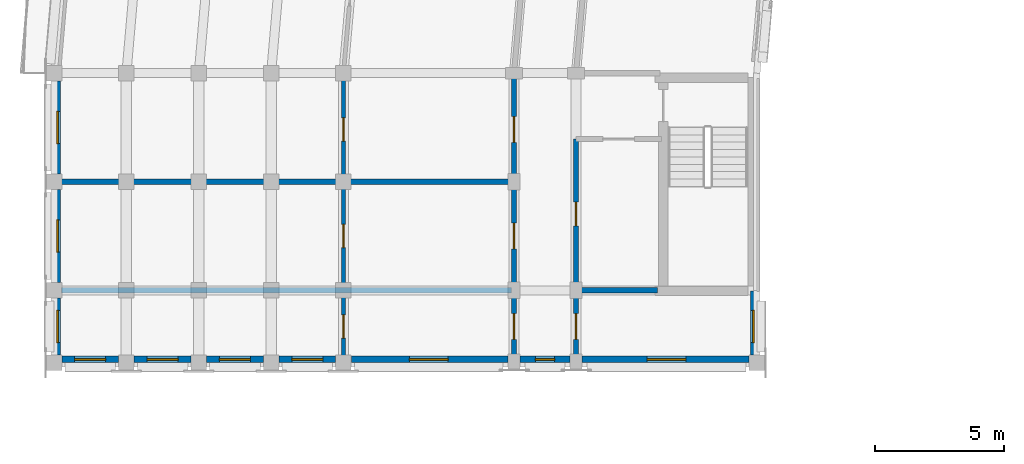
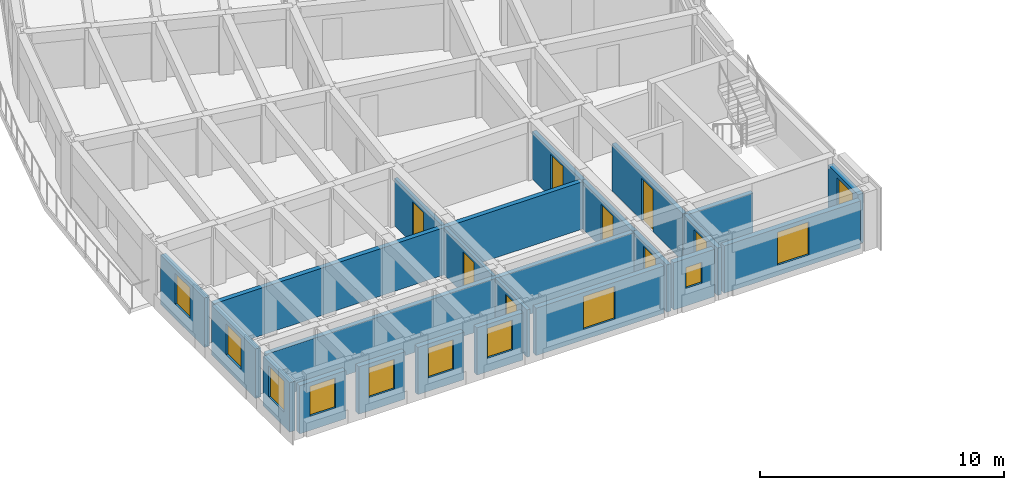
# One storey, part 11 of 36: 22 walls, 11 windows, 8 doors, 19 openings.
"""IFC4 building model written with IfcOpenShell, lengths in metres."""

from ifc_helpers import new_model, si_unit, direction, frame, frame_2d, origin, place, context, subcontext, project, spatial, rectangle, extrude, material, layer, layer_set, type_object, element, fill, save


model = new_model("IFC4")

# Units and contexts
model_context = context("Model", 3, precision=1e-05, world=origin(), true_north=direction((0.0, 1.0)))
body_context = subcontext(model_context, "Body", "Model", "MODEL_VIEW")
ifc_project = project(units=[si_unit("LENGTHUNIT", "METRE"), si_unit("AREAUNIT", "SQUARE_METRE"), si_unit("VOLUMEUNIT", "CUBIC_METRE"), si_unit("PLANEANGLEUNIT", "RADIAN"), si_unit("MASSUNIT", "GRAM", prefix="KILO")], contexts=[model_context])

# Site, building, storey
site_placement = place(None, origin())
site = spatial("IfcSite", under=ifc_project, at=site_placement, CompositionType="ELEMENT")
building_placement = place(site_placement, origin())
building = spatial("IfcBuilding", under=site, at=building_placement, Name="Kiranvali Square Residences", CompositionType="ELEMENT")
storey_placement = place(building_placement, frame((0.0, 0.0, 37.050048828125)))
storey = spatial("IfcBuildingStorey", under=building, at=storey_placement, Name="L11", CompositionType="ELEMENT", Elevation=37.050048828125)

# Wall, opening, door
ifc_material_1 = material(Name="Autoclaved aerated concrete blockwork masonry", Category="masonry")
ifc_layer_1 = layer(ifc_material_1, 0.199951171875)
ifc_layer_set_1 = layer_set([ifc_layer_1], Name="Autoclaved aerated concrete blockwork masonry")
wall_type_1 = type_object("IfcWallType", Name="WL-COR-200", PredefinedType="STANDARD", material=ifc_layer_set_1)
wall_1_placement = place(storey_placement, frame((22.39990234375, 85.25, 0.0), z_axis=(0.0, 0.0, 1.0), x_axis=(0.0, -1.0, 0.0)))
wall_1 = element("IfcWall", 1, at=wall_1_placement, inside=storey, type_object=wall_type_1, Name="L11 architectural wall WL-L11-A-S3-COR", PredefinedType="STANDARD", context=body_context, shape_type="SweptSolid", body=[
    extrude(rectangle(XDim=5.800048828125, YDim=0.199951171875, at=frame_2d((2.89990234375, 0.0))), origin(), (0.0, 0.0, 1.0), 2.3720703125),
])
opening_1_placement = place(wall_1_placement, frame((2.43994140625, 0.0, 0.0)))
opening_1 = element("IfcOpeningElement", 2, at=opening_1_placement, cuts=wall_1, Name="Opening FD-SVC-120", PredefinedType="OPENING", context=body_context, shape_type="SweptSolid", body=[
    extrude(rectangle(XDim=0.919921875, YDim=2.10009765625, at=frame_2d((0.4599609375, 1.050048828125))), frame((0.0, 0.10986328125, 0.0), z_axis=(0.0, -1.0, 0.0), x_axis=(1.0, 0.0, 0.0)), (0.0, 0.0, 1.0), 0.219970703125),
])
ifc_material_2 = material(Name="Fire-rated acoustic hardwood and mineral-core door assembly", Category="wood")
door_type_1 = type_object("IfcDoorType", Name="DR-SVC-900", OperationType="NOTDEFINED", PredefinedType="DOOR", material=ifc_material_2)
door_1_placement = place(opening_1_placement, frame((0.919921875, 0.0, 0.0), z_axis=(0.0, 0.0, 1.0), x_axis=(-1.0, 0.0, 0.0)))
door_1 = element("IfcDoor", 3, at=door_1_placement, inside=storey, type_object=door_type_1, Name="L11 door DR-L11-0688 (DR-SVC-900)", OperationType="SINGLE_SWING_RIGHT", OverallHeight=2.10009765625, OverallWidth=0.919921875, PredefinedType="DOOR", context=body_context, shape_type="SweptSolid", body=[
    extrude(rectangle(XDim=0.919921875, YDim=2.10009765625, at=frame_2d((0.4599609375, 1.050048828125))), frame((0.0, 0.02490234375, 0.0), z_axis=(0.0, -1.0, 0.0), x_axis=(1.0, 0.0, 0.0)), (0.0, 0.0, 1.0), 0.050048828125),
])
fill(opening_1, door_1)

wall_2_placement = place(storey_placement, frame((20.0, 87.64990234375, 0.0), z_axis=(0.0, 0.0, 1.0), x_axis=(0.0, -1.0, 0.0)))
wall_2 = element("IfcWall", 4, at=wall_2_placement, inside=storey, type_object=wall_type_1, Name="L11 architectural wall WL-L11-A-A2CF-C0", PredefinedType="STANDARD", context=body_context, shape_type="SweptSolid", body=[
    extrude(rectangle(XDim=4.0498046875, YDim=0.199951171875, at=frame_2d((2.02490234375, 0.0))), origin(), (0.0, 0.0, 1.0), 2.3720703125),
])
opening_2_placement = place(wall_2_placement, frame((1.52490234375, 0.0, 0.0)))
opening_2 = element("IfcOpeningElement", 5, at=opening_2_placement, cuts=wall_2, Name="Opening FD-APT-60", PredefinedType="OPENING", context=body_context, shape_type="SweptSolid", body=[
    extrude(rectangle(XDim=1.0, YDim=2.14990234375, at=frame_2d((0.5, 1.074951171875))), frame((0.0, 0.10986328125, 0.0), z_axis=(0.0, -1.0, 0.0), x_axis=(1.0, 0.0, 0.0)), (0.0, 0.0, 1.0), 0.219970703125),
])
door_type_2 = type_object("IfcDoorType", Name="DR-APT-1000", OperationType="NOTDEFINED", PredefinedType="DOOR", material=ifc_material_2)
door_2_placement = place(opening_2_placement, origin())
door_2 = element("IfcDoor", 6, at=door_2_placement, inside=storey, type_object=door_type_2, Name="L11 door DR-L11-0733 (DR-APT-1000)", OperationType="SINGLE_SWING_LEFT", OverallHeight=2.14990234375, OverallWidth=1.0, PredefinedType="DOOR", context=body_context, shape_type="SweptSolid", body=[
    extrude(rectangle(XDim=1.0, YDim=2.14990234375, at=frame_2d((0.5, 1.074951171875))), frame((0.0, 0.02490234375, 0.0), z_axis=(0.0, -1.0, 0.0), x_axis=(1.0, 0.0, 0.0)), (0.0, 0.0, 1.0), 0.050048828125),
])
fill(opening_2, door_2)

wall_3_placement = place(storey_placement, frame((20.0, 83.60009765625, 0.0), z_axis=(0.0, 0.0, 1.0), x_axis=(0.0, -1.0, 0.0)))
wall_3 = element("IfcWall", 7, at=wall_3_placement, inside=storey, type_object=wall_type_1, Name="L11 architectural wall WL-L11-A-A2CF-C1", PredefinedType="STANDARD", context=body_context, shape_type="SweptSolid", body=[
    extrude(rectangle(XDim=4.2001953125, YDim=0.199951171875, at=frame_2d((2.10009765625, 0.0))), origin(), (0.0, 0.0, 1.0), 2.3720703125),
])
opening_3_placement = place(wall_3_placement, frame((1.60009765625, 0.0, 0.0)))
opening_3 = element("IfcOpeningElement", 8, at=opening_3_placement, cuts=wall_3, Name="Opening FD-APT-60", PredefinedType="OPENING", context=body_context, shape_type="SweptSolid", body=[
    extrude(rectangle(XDim=1.0, YDim=2.14990234375, at=frame_2d((0.5, 1.074951171875))), frame((0.0, 0.10986328125, 0.0), z_axis=(0.0, -1.0, 0.0), x_axis=(1.0, 0.0, 0.0)), (0.0, 0.0, 1.0), 0.219970703125),
])
door_3_placement = place(opening_3_placement, origin())
door_3 = element("IfcDoor", 9, at=door_3_placement, inside=storey, type_object=door_type_2, Name="L11 door DR-L11-0735 (DR-APT-1000)", OperationType="SINGLE_SWING_LEFT", OverallHeight=2.14990234375, OverallWidth=1.0, PredefinedType="DOOR", context=body_context, shape_type="SweptSolid", body=[
    extrude(rectangle(XDim=1.0, YDim=2.14990234375, at=frame_2d((0.5, 1.074951171875))), frame((0.0, 0.02490234375, 0.0), z_axis=(0.0, -1.0, 0.0), x_axis=(1.0, 0.0, 0.0)), (0.0, 0.0, 1.0), 0.050048828125),
])
fill(opening_3, door_3)

wall_4_placement = place(storey_placement, frame((22.39990234375, 79.39990234375, 0.0), z_axis=(0.0, 0.0, 1.0), x_axis=(0.0, -1.0, 0.0)))
wall_4 = element("IfcWall", 10, at=wall_4_placement, inside=storey, type_object=wall_type_1, Name="L11 architectural wall WL-L11-A-A2CI-0", PredefinedType="STANDARD", context=body_context, shape_type="SweptSolid", body=[
    extrude(rectangle(XDim=2.7998046875, YDim=0.199951171875, at=frame_2d((1.39990234375, 0.0))), origin(), (0.0, 0.0, 1.0), 2.3720703125),
])
opening_4_placement = place(wall_4_placement, frame((0.89990234375, 0.0, 0.0)))
opening_4 = element("IfcOpeningElement", 11, at=opening_4_placement, cuts=wall_4, Name="Opening FD-APT-60", PredefinedType="OPENING", context=body_context, shape_type="SweptSolid", body=[
    extrude(rectangle(XDim=1.0, YDim=2.14990234375, at=frame_2d((0.5, 1.074951171875))), frame((0.0, 0.10986328125, 0.0), z_axis=(0.0, -1.0, 0.0), x_axis=(1.0, 0.0, 0.0)), (0.0, 0.0, 1.0), 0.219970703125),
])
door_4_placement = place(opening_4_placement, origin())
door_4 = element("IfcDoor", 12, at=door_4_placement, inside=storey, type_object=door_type_2, Name="L11 door DR-L11-0737 (DR-APT-1000)", OperationType="SINGLE_SWING_LEFT", OverallHeight=2.14990234375, OverallWidth=1.0, PredefinedType="DOOR", context=body_context, shape_type="SweptSolid", body=[
    extrude(rectangle(XDim=1.0, YDim=2.14990234375, at=frame_2d((0.5, 1.074951171875))), frame((0.0, 0.02490234375, 0.0), z_axis=(0.0, -1.0, 0.0), x_axis=(1.0, 0.0, 0.0)), (0.0, 0.0, 1.0), 0.050048828125),
])
fill(opening_4, door_4)

wall_5_placement = place(storey_placement, frame((20.0, 79.39990234375, 0.0), z_axis=(0.0, 0.0, 1.0), x_axis=(0.0, -1.0, 0.0)))
wall_5 = element("IfcWall", 13, at=wall_5_placement, inside=storey, type_object=wall_type_1, Name="L11 architectural wall WL-L11-A-A2CO-0", PredefinedType="STANDARD", context=body_context, shape_type="SweptSolid", body=[
    extrude(rectangle(XDim=2.7998046875, YDim=0.199951171875, at=frame_2d((1.39990234375, 0.0))), origin(), (0.0, 0.0, 1.0), 2.3720703125),
])
opening_5_placement = place(wall_5_placement, frame((0.89990234375, 0.0, 0.0)))
opening_5 = element("IfcOpeningElement", 14, at=opening_5_placement, cuts=wall_5, Name="Opening FD-APT-60", PredefinedType="OPENING", context=body_context, shape_type="SweptSolid", body=[
    extrude(rectangle(XDim=1.0, YDim=2.14990234375, at=frame_2d((0.5, 1.074951171875))), frame((0.0, 0.10986328125, 0.0), z_axis=(0.0, -1.0, 0.0), x_axis=(1.0, 0.0, 0.0)), (0.0, 0.0, 1.0), 0.219970703125),
])
door_5_placement = place(opening_5_placement, origin())
door_5 = element("IfcDoor", 15, at=door_5_placement, inside=storey, type_object=door_type_2, Name="L11 door DR-L11-0739 (DR-APT-1000)", OperationType="SINGLE_SWING_LEFT", OverallHeight=2.14990234375, OverallWidth=1.0, PredefinedType="DOOR", context=body_context, shape_type="SweptSolid", body=[
    extrude(rectangle(XDim=1.0, YDim=2.14990234375, at=frame_2d((0.5, 1.074951171875))), frame((0.0, 0.02490234375, 0.0), z_axis=(0.0, -1.0, 0.0), x_axis=(1.0, 0.0, 0.0)), (0.0, 0.0, 1.0), 0.050048828125),
])
fill(opening_5, door_5)

# Walls
ifc_layer_2 = layer(ifc_material_1, 0.219970703125)
ifc_layer_set_2 = layer_set([ifc_layer_2], Name="Autoclaved aerated concrete blockwork masonry")
wall_type_2 = type_object("IfcWallType", Name="WL-DEM-220", PredefinedType="STANDARD", material=ifc_layer_set_2)
wall_6_placement = place(storey_placement, frame((19.949951171875, 83.60009765625, 0.0), z_axis=(0.0, 0.0, 1.0), x_axis=(-1.0, 0.0, 0.0)))
element("IfcWall", 16, at=wall_6_placement, inside=storey, type_object=wall_type_2, Name="L11 architectural wall WL-L11-A-A2CF-MID", PredefinedType="STANDARD", context=body_context, shape_type="SweptSolid", body=[
    extrude(rectangle(XDim=17.530029296875, YDim=0.219970703125, at=frame_2d((8.76513671875, 0.0))), origin(), (0.0, 0.0, 1.0), 2.3720703125),
])
wall_7_placement = place(storey_placement, frame((25.550048828125, 79.39990234375, 0.0), z_axis=(0.0, 0.0, 1.0), x_axis=(-1.0, 0.0, 0.0)))
element("IfcWall", 17, at=wall_7_placement, inside=storey, type_object=wall_type_2, Name="L11 architectural wall WL-L11-A-A2TI-0", PredefinedType="STANDARD", context=body_context, shape_type="SweptSolid", body=[
    extrude(rectangle(XDim=3.10009765625, YDim=0.219970703125, at=frame_2d((1.550048828125, 0.0))), origin(), (0.0, 0.0, 1.0), 2.3720703125),
])
wall_8_placement = place(storey_placement, frame((19.89990234375, 79.39990234375, 0.0), z_axis=(0.0, 0.0, 1.0), x_axis=(-1.0, 0.0, 0.0)))
element("IfcWall", 18, at=wall_8_placement, inside=storey, type_object=wall_type_2, Name="L11 architectural wall WL-L11-A-A2TO-0", PredefinedType="STANDARD", context=body_context, shape_type="SweptSolid", body=[
    extrude(rectangle(XDim=17.419921875, YDim=0.219970703125, at=frame_2d((8.7099609375, 0.0))), origin(), (0.0, 0.0, 1.0), 2.3720703125),
])

# Wall, opening, window
ifc_material_3 = material(Name="Breathable lime-rendered clay brick masonry", Category="masonry")
ifc_layer_3 = layer(ifc_material_3, 0.25)
ifc_layer_set_3 = layer_set([ifc_layer_3], Name="Breathable lime-rendered clay brick masonry")
wall_type_3 = type_object("IfcWallType", Name="WL-EXT-250", PredefinedType="STANDARD", material=ifc_layer_set_3)
wall_9_placement = place(storey_placement, frame((2.324951171875, 87.49658203125, 0.0), z_axis=(0.0, 0.0, 1.0), x_axis=(0.0, -1.0, 0.0)))
wall_9 = element("IfcWall", 19, at=wall_9_placement, inside=storey, type_object=wall_type_3, Name="L11 exterior wall A-L11-A2O-0", PredefinedType="STANDARD", context=body_context, shape_type="SweptSolid", body=[
    extrude(rectangle(XDim=3.593017578125, YDim=0.25, at=frame_2d((1.79638671875, 0.0))), origin(), (0.0, 0.0, 1.0), 2.47998046875),
])
opening_6_placement = place(wall_9_placement, frame((1.17138671875, 0.0, 0.72998046875)))
opening_6 = element("IfcOpeningElement", 20, at=opening_6_placement, cuts=wall_9, Name="Opening W-19", PredefinedType="OPENING", context=body_context, shape_type="SweptSolid", body=[
    extrude(rectangle(XDim=1.25, YDim=1.550048828125, at=frame_2d((0.625, 0.77490234375))), frame((0.0, 0.135009765625, 0.0), z_axis=(0.0, -1.0, 0.0), x_axis=(1.0, 0.0, 0.0)), (0.0, 0.0, 1.0), 0.27001953125),
])
ifc_material_4 = material(Name="Solar-control low-e double glazing", Category="glass")
window_type_1 = type_object("IfcWindowType", Name="WIN-GDN-1250x1550", PartitioningType="SINGLE_PANEL", PredefinedType="WINDOW", material=ifc_material_4)
window_1_placement = place(opening_6_placement, origin())
window_1 = element("IfcWindow", 21, at=window_1_placement, inside=storey, type_object=window_type_1, Name="L11 recessed window A-L11-A2O-0", OverallHeight=1.550048828125, OverallWidth=1.25, PartitioningType="SINGLE_PANEL", PredefinedType="WINDOW", context=body_context, shape_type="SweptSolid", body=[
    extrude(rectangle(XDim=1.25, YDim=1.550048828125, at=frame_2d((0.625, 0.77490234375))), frame((0.0, 0.030029296875, 0.0), z_axis=(0.0, -1.0, 0.0), x_axis=(1.0, 0.0, 0.0)), (0.0, 0.0, 1.0), 0.06005859375),
])
fill(opening_6, window_1)

wall_10_placement = place(storey_placement, frame((2.324951171875, 83.29638671875, 0.0), z_axis=(0.0, 0.0, 1.0), x_axis=(0.0, -1.0, 0.0)))
wall_10 = element("IfcWall", 22, at=wall_10_placement, inside=storey, type_object=wall_type_3, Name="L11 exterior wall A-L11-A2O-1", PredefinedType="STANDARD", context=body_context, shape_type="SweptSolid", body=[
    extrude(rectangle(XDim=3.5927734375, YDim=0.25, at=frame_2d((1.79638671875, 0.0))), origin(), (0.0, 0.0, 1.0), 2.47998046875),
])
opening_7_placement = place(wall_10_placement, frame((1.17138671875, 0.0, 0.72998046875)))
opening_7 = element("IfcOpeningElement", 23, at=opening_7_placement, cuts=wall_10, Name="Opening W-19", PredefinedType="OPENING", context=body_context, shape_type="SweptSolid", body=[
    extrude(rectangle(XDim=1.25, YDim=1.550048828125, at=frame_2d((0.625, 0.77490234375))), frame((0.0, 0.135009765625, 0.0), z_axis=(0.0, -1.0, 0.0), x_axis=(1.0, 0.0, 0.0)), (0.0, 0.0, 1.0), 0.27001953125),
])
window_2_placement = place(opening_7_placement, origin())
window_2 = element("IfcWindow", 24, at=window_2_placement, inside=storey, type_object=window_type_1, Name="L11 recessed window A-L11-A2O-1", OverallHeight=1.550048828125, OverallWidth=1.25, PartitioningType="SINGLE_PANEL", PredefinedType="WINDOW", context=body_context, shape_type="SweptSolid", body=[
    extrude(rectangle(XDim=1.25, YDim=1.550048828125, at=frame_2d((0.625, 0.77490234375))), frame((0.0, 0.030029296875, 0.0), z_axis=(0.0, -1.0, 0.0), x_axis=(1.0, 0.0, 0.0)), (0.0, 0.0, 1.0), 0.06005859375),
])
fill(opening_7, window_2)

wall_11_placement = place(storey_placement, frame((2.324951171875, 79.096435546875, 0.0), z_axis=(0.0, 0.0, 1.0), x_axis=(0.0, -1.0, 0.0)))
wall_11 = element("IfcWall", 25, at=wall_11_placement, inside=storey, type_object=wall_type_3, Name="L11 exterior wall A-L11-A2O-2", PredefinedType="STANDARD", context=body_context, shape_type="SweptSolid", body=[
    extrude(rectangle(XDim=2.19287109375, YDim=0.25, at=frame_2d((1.096435546875, 0.0))), origin(), (0.0, 0.0, 1.0), 2.47998046875),
])
opening_8_placement = place(wall_11_placement, frame((0.471435546875, 0.0, 0.72998046875)))
opening_8 = element("IfcOpeningElement", 26, at=opening_8_placement, cuts=wall_11, Name="Opening W-19", PredefinedType="OPENING", context=body_context, shape_type="SweptSolid", body=[
    extrude(rectangle(XDim=1.25, YDim=1.550048828125, at=frame_2d((0.625, 0.77490234375))), frame((0.0, 0.135009765625, 0.0), z_axis=(0.0, -1.0, 0.0), x_axis=(1.0, 0.0, 0.0)), (0.0, 0.0, 1.0), 0.27001953125),
])
window_3_placement = place(opening_8_placement, origin())
window_3 = element("IfcWindow", 27, at=window_3_placement, inside=storey, type_object=window_type_1, Name="L11 recessed window A-L11-A2O-2", OverallHeight=1.550048828125, OverallWidth=1.25, PartitioningType="SINGLE_PANEL", PredefinedType="WINDOW", context=body_context, shape_type="SweptSolid", body=[
    extrude(rectangle(XDim=1.25, YDim=1.550048828125, at=frame_2d((0.625, 0.77490234375))), frame((0.0, 0.030029296875, 0.0), z_axis=(0.0, -1.0, 0.0), x_axis=(1.0, 0.0, 0.0)), (0.0, 0.0, 1.0), 0.06005859375),
])
fill(opening_8, window_3)

wall_12_placement = place(storey_placement, frame((29.27490234375, 79.37158203125, 0.0), z_axis=(0.0, 0.0, 1.0), x_axis=(0.0, -1.0, 0.0)))
wall_12 = element("IfcWall", 28, at=wall_12_placement, inside=storey, type_object=wall_type_3, Name="L11 exterior wall A-L11-A2I-0", PredefinedType="STANDARD", context=body_context, shape_type="SweptSolid", body=[
    extrude(rectangle(XDim=2.468017578125, YDim=0.25, at=frame_2d((1.23388671875, 0.0))), origin(), (0.0, 0.0, 1.0), 2.471923828125),
])
opening_9_placement = place(wall_12_placement, frame((0.74658203125, 0.0, 0.721923828125)))
opening_9 = element("IfcOpeningElement", 29, at=opening_9_placement, cuts=wall_12, Name="Opening W-19", PredefinedType="OPENING", context=body_context, shape_type="SweptSolid", body=[
    extrude(rectangle(XDim=1.25, YDim=1.550048828125, at=frame_2d((0.625, 0.77490234375))), frame((0.0, 0.135009765625, 0.0), z_axis=(0.0, -1.0, 0.0), x_axis=(1.0, 0.0, 0.0)), (0.0, 0.0, 1.0), 0.27001953125),
])
window_4_placement = place(opening_9_placement, origin())
window_4 = element("IfcWindow", 30, at=window_4_placement, inside=storey, type_object=window_type_1, Name="L11 recessed window A-L11-A2I-0", OverallHeight=1.550048828125, OverallWidth=1.25, PartitioningType="SINGLE_PANEL", PredefinedType="WINDOW", context=body_context, shape_type="SweptSolid", body=[
    extrude(rectangle(XDim=1.25, YDim=1.550048828125, at=frame_2d((0.625, 0.77490234375))), frame((0.0, 0.030029296875, 0.0), z_axis=(0.0, -1.0, 0.0), x_axis=(1.0, 0.0, 0.0)), (0.0, 0.0, 1.0), 0.06005859375),
])
fill(opening_9, window_4)

wall_13_placement = place(storey_placement, frame((29.096435546875, 76.72509765625, 0.0), z_axis=(0.0, 0.0, 1.0), x_axis=(-1.0, 0.0, 0.0)))
wall_13 = element("IfcWall", 31, at=wall_13_placement, inside=storey, type_object=wall_type_3, Name="L11 exterior wall A-L11-A2END-0", PredefinedType="STANDARD", context=body_context, shape_type="SweptSolid", body=[
    extrude(rectangle(XDim=6.468017578125, YDim=0.25, at=frame_2d((3.23388671875, 0.0))), origin(), (0.0, 0.0, 1.0), 2.3720703125),
])
opening_10_placement = place(wall_13_placement, frame((2.446533203125, 0.0, 0.52197265625)))
opening_10 = element("IfcOpeningElement", 32, at=opening_10_placement, cuts=wall_13, Name="Opening W-05", PredefinedType="OPENING", context=body_context, shape_type="SweptSolid", body=[
    extrude(rectangle(XDim=1.5, YDim=1.64990234375, at=frame_2d((0.75, 0.824951171875))), frame((0.0, 0.135009765625, 0.0), z_axis=(0.0, -1.0, 0.0), x_axis=(1.0, 0.0, 0.0)), (0.0, 0.0, 1.0), 0.27001953125),
])
window_type_2 = type_object("IfcWindowType", Name="WIN-RES-1500x1650", PartitioningType="DOUBLE_PANEL_VERTICAL", PredefinedType="WINDOW", material=ifc_material_4)
window_5_placement = place(opening_10_placement, origin())
window_5 = element("IfcWindow", 33, at=window_5_placement, inside=storey, type_object=window_type_2, Name="L11 recessed window A-L11-A2END-0", OverallHeight=1.64990234375, OverallWidth=1.5, PartitioningType="DOUBLE_PANEL_VERTICAL", PredefinedType="WINDOW", context=body_context, shape_type="SweptSolid", body=[
    extrude(rectangle(XDim=1.5, YDim=1.64990234375, at=frame_2d((0.75, 0.824951171875))), frame((0.0, 0.030029296875, 0.0), z_axis=(0.0, -1.0, 0.0), x_axis=(1.0, 0.0, 0.0)), (0.0, 0.0, 1.0), 0.06005859375),
])
fill(opening_10, window_5)

wall_14_placement = place(storey_placement, frame((22.17138671875, 76.72509765625, 0.0), z_axis=(0.0, 0.0, 1.0), x_axis=(-1.0, 0.0, 0.0)))
wall_14 = element("IfcWall", 34, at=wall_14_placement, inside=storey, type_object=wall_type_3, Name="L11 exterior wall A-L11-A2END-1", PredefinedType="STANDARD", context=body_context, shape_type="SweptSolid", body=[
    extrude(rectangle(XDim=1.94287109375, YDim=0.25, at=frame_2d((0.971435546875, 0.0))), origin(), (0.0, 0.0, 1.0), 2.3720703125),
])
opening_11_placement = place(wall_14_placement, frame((0.596435546875, 0.0, 0.8798828125)))
opening_11 = element("IfcOpeningElement", 35, at=opening_11_placement, cuts=wall_14, Name="Opening W-07", PredefinedType="OPENING", context=body_context, shape_type="SweptSolid", body=[
    extrude(rectangle(XDim=0.75, YDim=1.050048828125, at=frame_2d((0.375, 0.52490234375))), frame((0.0, 0.135009765625, 0.0), z_axis=(0.0, -1.0, 0.0), x_axis=(1.0, 0.0, 0.0)), (0.0, 0.0, 1.0), 0.27001953125),
])
window_type_3 = type_object("IfcWindowType", Name="WIN-WET-750x1050", PartitioningType="SINGLE_PANEL", PredefinedType="WINDOW", material=ifc_material_4)
window_6_placement = place(opening_11_placement, origin())
window_6 = element("IfcWindow", 36, at=window_6_placement, inside=storey, type_object=window_type_3, Name="L11 recessed window A-L11-A2END-1", OverallHeight=1.050048828125, OverallWidth=0.75, PartitioningType="SINGLE_PANEL", PredefinedType="WINDOW", context=body_context, shape_type="SweptSolid", body=[
    extrude(rectangle(XDim=0.75, YDim=1.050048828125, at=frame_2d((0.375, 0.52490234375))), frame((0.0, 0.030029296875, 0.0), z_axis=(0.0, -1.0, 0.0), x_axis=(1.0, 0.0, 0.0)), (0.0, 0.0, 1.0), 0.06005859375),
])
fill(opening_11, window_6)

wall_15_placement = place(storey_placement, frame((19.771484375, 76.72509765625, 0.0), z_axis=(0.0, 0.0, 1.0), x_axis=(-1.0, 0.0, 0.0)))
wall_15 = element("IfcWall", 37, at=wall_15_placement, inside=storey, type_object=wall_type_3, Name="L11 exterior wall A-L11-A2END-2", PredefinedType="STANDARD", context=body_context, shape_type="SweptSolid", body=[
    extrude(rectangle(XDim=6.06787109375, YDim=0.25, at=frame_2d((3.033935546875, 0.0))), origin(), (0.0, 0.0, 1.0), 2.3720703125),
])
opening_12_placement = place(wall_15_placement, frame((2.321533203125, 0.0, 0.52197265625)))
opening_12 = element("IfcOpeningElement", 38, at=opening_12_placement, cuts=wall_15, Name="Opening W-05", PredefinedType="OPENING", context=body_context, shape_type="SweptSolid", body=[
    extrude(rectangle(XDim=1.5, YDim=1.64990234375, at=frame_2d((0.75, 0.824951171875))), frame((0.0, 0.135009765625, 0.0), z_axis=(0.0, -1.0, 0.0), x_axis=(1.0, 0.0, 0.0)), (0.0, 0.0, 1.0), 0.27001953125),
])
window_7_placement = place(opening_12_placement, origin())
window_7 = element("IfcWindow", 39, at=window_7_placement, inside=storey, type_object=window_type_2, Name="L11 recessed window A-L11-A2END-2", OverallHeight=1.64990234375, OverallWidth=1.5, PartitioningType="DOUBLE_PANEL_VERTICAL", PredefinedType="WINDOW", context=body_context, shape_type="SweptSolid", body=[
    extrude(rectangle(XDim=1.5, YDim=1.64990234375, at=frame_2d((0.75, 0.824951171875))), frame((0.0, 0.030029296875, 0.0), z_axis=(0.0, -1.0, 0.0), x_axis=(1.0, 0.0, 0.0)), (0.0, 0.0, 1.0), 0.06005859375),
])
fill(opening_12, window_7)

wall_16_placement = place(storey_placement, frame((13.096435546875, 76.72509765625, 0.0), z_axis=(0.0, 0.0, 1.0), x_axis=(-1.0, 0.0, 0.0)))
wall_16 = element("IfcWall", 40, at=wall_16_placement, inside=storey, type_object=wall_type_3, Name="L11 exterior wall A-L11-A2END-3", PredefinedType="STANDARD", context=body_context, shape_type="SweptSolid", body=[
    extrude(rectangle(XDim=2.19287109375, YDim=0.25, at=frame_2d((1.096435546875, 0.0))), origin(), (0.0, 0.0, 1.0), 2.3720703125),
])
opening_13_placement = place(wall_16_placement, frame((0.49658203125, 0.0, 0.672119140625)))
opening_13 = element("IfcOpeningElement", 41, at=opening_13_placement, cuts=wall_16, Name="Opening W-06", PredefinedType="OPENING", context=body_context, shape_type="SweptSolid", body=[
    extrude(rectangle(XDim=1.199951171875, YDim=1.5, at=frame_2d((0.60009765625, 0.75))), frame((0.0, 0.135009765625, 0.0), z_axis=(0.0, -1.0, 0.0), x_axis=(1.0, 0.0, 0.0)), (0.0, 0.0, 1.0), 0.27001953125),
])
window_type_4 = type_object("IfcWindowType", Name="WIN-RES-1200x1500", PartitioningType="SINGLE_PANEL", PredefinedType="WINDOW", material=ifc_material_4)
window_8_placement = place(opening_13_placement, origin())
window_8 = element("IfcWindow", 42, at=window_8_placement, inside=storey, type_object=window_type_4, Name="L11 recessed window A-L11-A2END-3", OverallHeight=1.5, OverallWidth=1.199951171875, PartitioningType="SINGLE_PANEL", PredefinedType="WINDOW", context=body_context, shape_type="SweptSolid", body=[
    extrude(rectangle(XDim=1.199951171875, YDim=1.5, at=frame_2d((0.60009765625, 0.75))), frame((0.0, 0.030029296875, 0.0), z_axis=(0.0, -1.0, 0.0), x_axis=(1.0, 0.0, 0.0)), (0.0, 0.0, 1.0), 0.06005859375),
])
fill(opening_13, window_8)

wall_17_placement = place(storey_placement, frame((10.29638671875, 76.72509765625, 0.0), z_axis=(0.0, 0.0, 1.0), x_axis=(-1.0, 0.0, 0.0)))
wall_17 = element("IfcWall", 43, at=wall_17_placement, inside=storey, type_object=wall_type_3, Name="L11 exterior wall A-L11-A2END-4", PredefinedType="STANDARD", context=body_context, shape_type="SweptSolid", body=[
    extrude(rectangle(XDim=2.19287109375, YDim=0.25, at=frame_2d((1.096435546875, 0.0))), origin(), (0.0, 0.0, 1.0), 2.3720703125),
])
opening_14_placement = place(wall_17_placement, frame((0.49658203125, 0.0, 0.672119140625)))
opening_14 = element("IfcOpeningElement", 44, at=opening_14_placement, cuts=wall_17, Name="Opening W-06", PredefinedType="OPENING", context=body_context, shape_type="SweptSolid", body=[
    extrude(rectangle(XDim=1.199951171875, YDim=1.5, at=frame_2d((0.60009765625, 0.75))), frame((0.0, 0.135009765625, 0.0), z_axis=(0.0, -1.0, 0.0), x_axis=(1.0, 0.0, 0.0)), (0.0, 0.0, 1.0), 0.27001953125),
])
window_9_placement = place(opening_14_placement, origin())
window_9 = element("IfcWindow", 45, at=window_9_placement, inside=storey, type_object=window_type_4, Name="L11 recessed window A-L11-A2END-4", OverallHeight=1.5, OverallWidth=1.199951171875, PartitioningType="SINGLE_PANEL", PredefinedType="WINDOW", context=body_context, shape_type="SweptSolid", body=[
    extrude(rectangle(XDim=1.199951171875, YDim=1.5, at=frame_2d((0.60009765625, 0.75))), frame((0.0, 0.030029296875, 0.0), z_axis=(0.0, -1.0, 0.0), x_axis=(1.0, 0.0, 0.0)), (0.0, 0.0, 1.0), 0.06005859375),
])
fill(opening_14, window_9)

wall_18_placement = place(storey_placement, frame((7.49658203125, 76.72509765625, 0.0), z_axis=(0.0, 0.0, 1.0), x_axis=(-1.0, 0.0, 0.0)))
wall_18 = element("IfcWall", 46, at=wall_18_placement, inside=storey, type_object=wall_type_3, Name="L11 exterior wall A-L11-A2END-5", PredefinedType="STANDARD", context=body_context, shape_type="SweptSolid", body=[
    extrude(rectangle(XDim=2.193115234375, YDim=0.25, at=frame_2d((1.0966796875, 0.0))), origin(), (0.0, 0.0, 1.0), 2.3720703125),
])
opening_15_placement = place(wall_18_placement, frame((0.49658203125, 0.0, 0.672119140625)))
opening_15 = element("IfcOpeningElement", 47, at=opening_15_placement, cuts=wall_18, Name="Opening W-06", PredefinedType="OPENING", context=body_context, shape_type="SweptSolid", body=[
    extrude(rectangle(XDim=1.199951171875, YDim=1.5, at=frame_2d((0.60009765625, 0.75))), frame((0.0, 0.135009765625, 0.0), z_axis=(0.0, -1.0, 0.0), x_axis=(1.0, 0.0, 0.0)), (0.0, 0.0, 1.0), 0.27001953125),
])
window_10_placement = place(opening_15_placement, origin())
window_10 = element("IfcWindow", 48, at=window_10_placement, inside=storey, type_object=window_type_4, Name="L11 recessed window A-L11-A2END-5", OverallHeight=1.5, OverallWidth=1.199951171875, PartitioningType="SINGLE_PANEL", PredefinedType="WINDOW", context=body_context, shape_type="SweptSolid", body=[
    extrude(rectangle(XDim=1.199951171875, YDim=1.5, at=frame_2d((0.60009765625, 0.75))), frame((0.0, 0.030029296875, 0.0), z_axis=(0.0, -1.0, 0.0), x_axis=(1.0, 0.0, 0.0)), (0.0, 0.0, 1.0), 0.06005859375),
])
fill(opening_15, window_10)

wall_19_placement = place(storey_placement, frame((4.696533203125, 76.72509765625, 0.0), z_axis=(0.0, 0.0, 1.0), x_axis=(-1.0, 0.0, 0.0)))
wall_19 = element("IfcWall", 49, at=wall_19_placement, inside=storey, type_object=wall_type_3, Name="L11 exterior wall A-L11-A2END-6", PredefinedType="STANDARD", context=body_context, shape_type="SweptSolid", body=[
    extrude(rectangle(XDim=2.193115234375, YDim=0.25, at=frame_2d((1.0966796875, 0.0))), origin(), (0.0, 0.0, 1.0), 2.411865234375),
])
opening_16_placement = place(wall_19_placement, frame((0.49658203125, 0.0, 0.7119140625)))
opening_16 = element("IfcOpeningElement", 50, at=opening_16_placement, cuts=wall_19, Name="Opening W-06", PredefinedType="OPENING", context=body_context, shape_type="SweptSolid", body=[
    extrude(rectangle(XDim=1.199951171875, YDim=1.5, at=frame_2d((0.60009765625, 0.75))), frame((0.0, 0.135009765625, 0.0), z_axis=(0.0, -1.0, 0.0), x_axis=(1.0, 0.0, 0.0)), (0.0, 0.0, 1.0), 0.27001953125),
])
window_11_placement = place(opening_16_placement, origin())
window_11 = element("IfcWindow", 51, at=window_11_placement, inside=storey, type_object=window_type_4, Name="L11 recessed window A-L11-A2END-6", OverallHeight=1.5, OverallWidth=1.199951171875, PartitioningType="SINGLE_PANEL", PredefinedType="WINDOW", context=body_context, shape_type="SweptSolid", body=[
    extrude(rectangle(XDim=1.199951171875, YDim=1.5, at=frame_2d((0.60009765625, 0.75))), frame((0.0, 0.030029296875, 0.0), z_axis=(0.0, -1.0, 0.0), x_axis=(1.0, 0.0, 0.0)), (0.0, 0.0, 1.0), 0.06005859375),
])
fill(opening_16, window_11)

# Wall, opening, door
ifc_material_5 = material(Name="Acoustic gypsum board drylined partition", Category="gypsum")
ifc_layer_4 = layer(ifc_material_5, 0.14990234375)
ifc_layer_set_4 = layer_set([ifc_layer_4], Name="Acoustic gypsum board drylined partition")
wall_type_4 = type_object("IfcWallType", Name="WL-PRT-150", PredefinedType="PARTITIONING", material=ifc_layer_set_4)
wall_20_placement = place(storey_placement, frame((13.39990234375, 87.570068359375, 0.0), z_axis=(0.0, 0.0, 1.0), x_axis=(0.0, -1.0, 0.0)))
wall_20 = element("IfcWall", 52, at=wall_20_placement, inside=storey, type_object=wall_type_4, Name="L11 architectural wall WL-L11-A-A2CF-SP0", PredefinedType="PARTITIONING", context=body_context, shape_type="SweptSolid", body=[
    extrude(rectangle(XDim=3.89013671875, YDim=0.14990234375, at=frame_2d((1.945068359375, 0.0))), origin(), (0.0, 0.0, 1.0), 2.3720703125),
])
opening_17_placement = place(wall_20_placement, frame((1.4951171875, 0.0, 0.0)))
opening_17 = element("IfcOpeningElement", 53, at=opening_17_placement, cuts=wall_20, Name="Opening ID-1", PredefinedType="OPENING", context=body_context, shape_type="SweptSolid", body=[
    extrude(rectangle(XDim=0.89990234375, YDim=2.10009765625, at=frame_2d((0.449951171875, 1.050048828125))), frame((0.0, 0.0849609375, 0.0), z_axis=(0.0, -1.0, 0.0), x_axis=(1.0, 0.0, 0.0)), (0.0, 0.0, 1.0), 0.169921875),
])
ifc_material_6 = material(Name="Solid seasoned teak hardwood joinery", Category="wood")
door_type_3 = type_object("IfcDoorType", Name="DR-INT-900", OperationType="NOTDEFINED", PredefinedType="DOOR", material=ifc_material_6)
door_6_placement = place(opening_17_placement, frame((0.89990234375, 0.0, 0.0), z_axis=(0.0, 0.0, 1.0), x_axis=(-1.0, 0.0, 0.0)))
door_6 = element("IfcDoor", 54, at=door_6_placement, inside=storey, type_object=door_type_3, Name="L11 door DR-L11-0734 (DR-INT-900)", OperationType="SINGLE_SWING_RIGHT", OverallHeight=2.10009765625, OverallWidth=0.89990234375, PredefinedType="DOOR", context=body_context, shape_type="SweptSolid", body=[
    extrude(rectangle(XDim=0.89990234375, YDim=2.10009765625, at=frame_2d((0.449951171875, 1.050048828125))), frame((0.0, 0.02490234375, 0.0), z_axis=(0.0, -1.0, 0.0), x_axis=(1.0, 0.0, 0.0)), (0.0, 0.0, 1.0), 0.050048828125),
])
fill(opening_17, door_6)

wall_21_placement = place(storey_placement, frame((13.39990234375, 83.52001953125, 0.0), z_axis=(0.0, 0.0, 1.0), x_axis=(0.0, -1.0, 0.0)))
wall_21 = element("IfcWall", 55, at=wall_21_placement, inside=storey, type_object=wall_type_4, Name="L11 architectural wall WL-L11-A-A2CF-SP1", PredefinedType="PARTITIONING", context=body_context, shape_type="SweptSolid", body=[
    extrude(rectangle(XDim=4.0400390625, YDim=0.14990234375, at=frame_2d((2.02001953125, 0.0))), origin(), (0.0, 0.0, 1.0), 2.3720703125),
])
opening_18_placement = place(wall_21_placement, frame((1.570068359375, 0.0, 0.0)))
opening_18 = element("IfcOpeningElement", 56, at=opening_18_placement, cuts=wall_21, Name="Opening ID-1", PredefinedType="OPENING", context=body_context, shape_type="SweptSolid", body=[
    extrude(rectangle(XDim=0.89990234375, YDim=2.10009765625, at=frame_2d((0.449951171875, 1.050048828125))), frame((0.0, 0.0849609375, 0.0), z_axis=(0.0, -1.0, 0.0), x_axis=(1.0, 0.0, 0.0)), (0.0, 0.0, 1.0), 0.169921875),
])
door_7_placement = place(opening_18_placement, frame((0.89990234375, 0.0, 0.0), z_axis=(0.0, 0.0, 1.0), x_axis=(-1.0, 0.0, 0.0)))
door_7 = element("IfcDoor", 57, at=door_7_placement, inside=storey, type_object=door_type_3, Name="L11 door DR-L11-0736 (DR-INT-900)", OperationType="SINGLE_SWING_RIGHT", OverallHeight=2.10009765625, OverallWidth=0.89990234375, PredefinedType="DOOR", context=body_context, shape_type="SweptSolid", body=[
    extrude(rectangle(XDim=0.89990234375, YDim=2.10009765625, at=frame_2d((0.449951171875, 1.050048828125))), frame((0.0, 0.02490234375, 0.0), z_axis=(0.0, -1.0, 0.0), x_axis=(1.0, 0.0, 0.0)), (0.0, 0.0, 1.0), 0.050048828125),
])
fill(opening_18, door_7)

ifc_layer_5 = layer(ifc_material_1, 0.14990234375)
ifc_layer_set_5 = layer_set([ifc_layer_5], Name="Autoclaved aerated concrete blockwork masonry")
wall_type_5 = type_object("IfcWallType", Name="WL-WET-150", PredefinedType="PLUMBINGWALL", material=ifc_layer_set_5)
wall_22_placement = place(storey_placement, frame((13.39990234375, 79.320068359375, 0.0), z_axis=(0.0, 0.0, 1.0), x_axis=(0.0, -1.0, 0.0)))
wall_22 = element("IfcWall", 58, at=wall_22_placement, inside=storey, type_object=wall_type_5, Name="L11 architectural wall WL-L11-A-A2SP-0", PredefinedType="PLUMBINGWALL", context=body_context, shape_type="SweptSolid", body=[
    extrude(rectangle(XDim=2.64013671875, YDim=0.14990234375, at=frame_2d((1.320068359375, 0.0))), origin(), (0.0, 0.0, 1.0), 2.3720703125),
])
opening_19_placement = place(wall_22_placement, frame((0.8701171875, 0.0, 0.0)))
opening_19 = element("IfcOpeningElement", 59, at=opening_19_placement, cuts=wall_22, Name="Opening ID-1", PredefinedType="OPENING", context=body_context, shape_type="SweptSolid", body=[
    extrude(rectangle(XDim=0.89990234375, YDim=2.10009765625, at=frame_2d((0.449951171875, 1.050048828125))), frame((0.0, 0.0849609375, 0.0), z_axis=(0.0, -1.0, 0.0), x_axis=(1.0, 0.0, 0.0)), (0.0, 0.0, 1.0), 0.169921875),
])
door_8_placement = place(opening_19_placement, frame((0.89990234375, 0.0, 0.0), z_axis=(0.0, 0.0, 1.0), x_axis=(-1.0, 0.0, 0.0)))
door_8 = element("IfcDoor", 60, at=door_8_placement, inside=storey, type_object=door_type_3, Name="L11 door DR-L11-0738 (DR-INT-900)", OperationType="SINGLE_SWING_RIGHT", OverallHeight=2.10009765625, OverallWidth=0.89990234375, PredefinedType="DOOR", context=body_context, shape_type="SweptSolid", body=[
    extrude(rectangle(XDim=0.89990234375, YDim=2.10009765625, at=frame_2d((0.449951171875, 1.050048828125))), frame((0.0, 0.02490234375, 0.0), z_axis=(0.0, -1.0, 0.0), x_axis=(1.0, 0.0, 0.0)), (0.0, 0.0, 1.0), 0.050048828125),
])
fill(opening_19, door_8)

save(model, "model.ifc")
